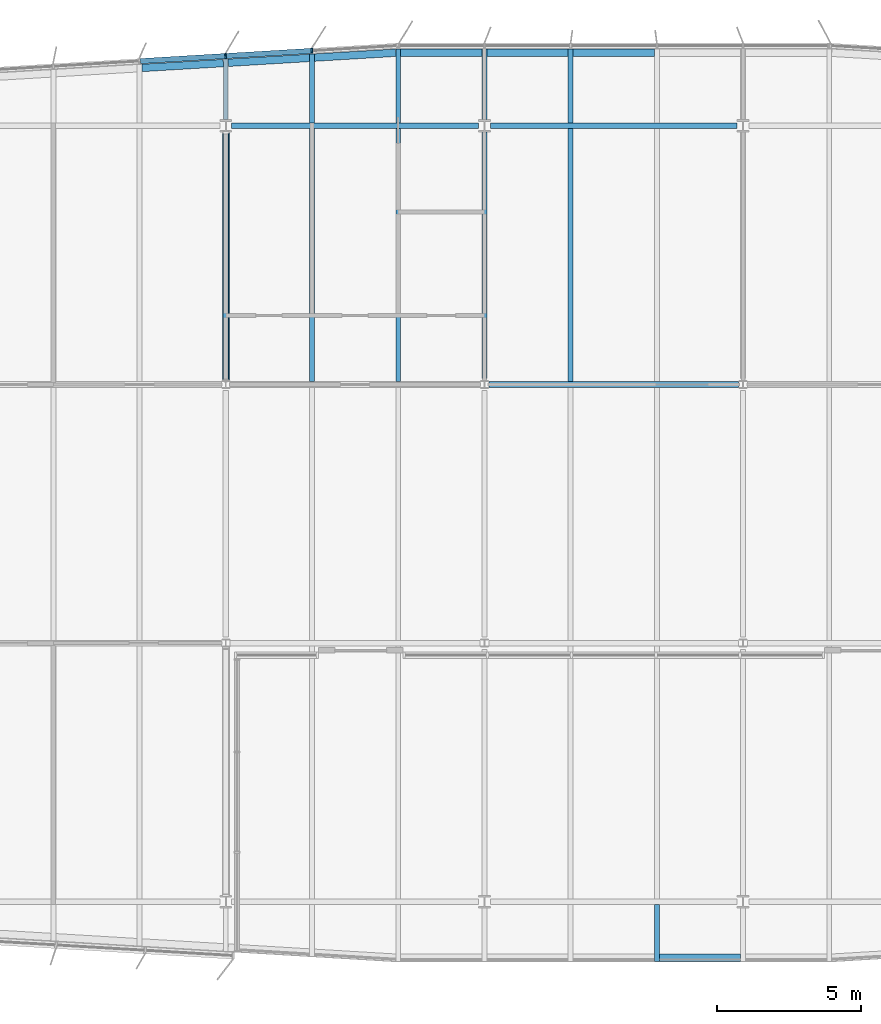
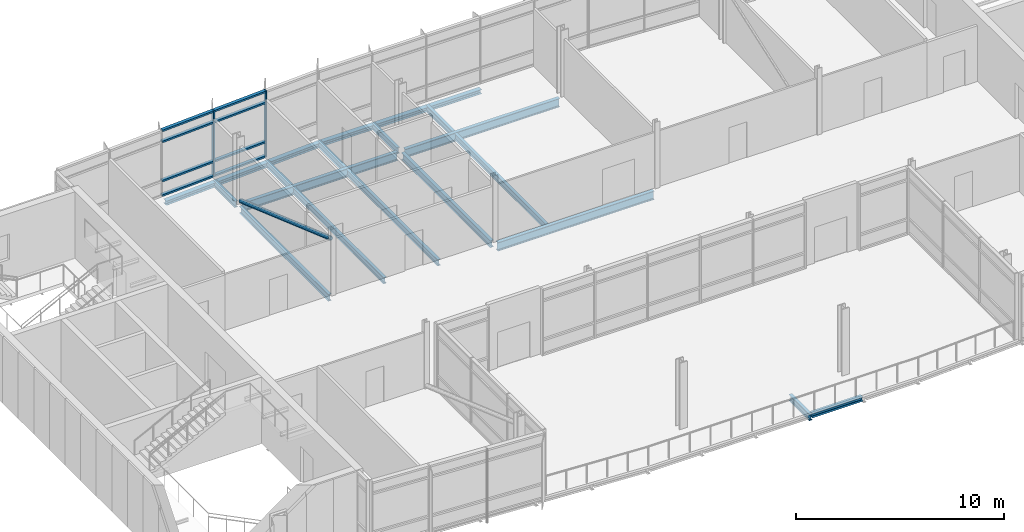
# One storey, part 5 of 19: 21 beams, 11 members, 1 element without a shape of its own.
"""IFC4 building model written with IfcOpenShell, lengths in metres."""

from ifc_helpers import new_model, si_unit, direction, frame, origin, origin_2d, place, context, subcontext, project, spatial, rectangle, hollow_circle, i_section, extrude, material, material_profile, profile_set, type_object, element, aggregate, save


model = new_model("IFC4")

# Units and contexts
model_context = context("Model", 3, precision=1e-05, world=origin(), true_north=direction((0.0, 1.0)))
body_context = subcontext(model_context, "Body", "Model", "MODEL_VIEW")
ifc_project = project(units=[si_unit("LENGTHUNIT", "METRE"), si_unit("AREAUNIT", "SQUARE_METRE"), si_unit("VOLUMEUNIT", "CUBIC_METRE"), si_unit("PLANEANGLEUNIT", "RADIAN"), si_unit("MASSUNIT", "GRAM", prefix="KILO")], contexts=[model_context])

# Site, building, storey
site_placement = place(None, origin())
site = spatial("IfcSite", under=ifc_project, at=site_placement, CompositionType="ELEMENT")
building_placement = place(site_placement, origin())
building = spatial("IfcBuilding", under=site, at=building_placement, Name="Azimuth Sports and Learning Centre", CompositionType="ELEMENT")
storey_placement = place(building_placement, frame((0.0, 0.0, 67.5)))
storey = spatial("IfcBuildingStorey", under=building, at=storey_placement, Name="L15", CompositionType="ELEMENT", Elevation=67.5)

# Beams
ifc_material_1 = material(Name="Steel S355", Category="steel")
ifc_material_profile_1 = material_profile(ifc_material_1, i_section(OverallWidth=0.179931640625, OverallDepth=0.39990234375, WebThickness=0.008544921875, FlangeThickness=0.013427734375, FilletRadius=0.02099609375, at=origin_2d()), Name="IPE 400")
ifc_profile_set_1 = profile_set([ifc_material_profile_1], Name="Steel S355")
beam_type_1 = type_object("IfcBeamType", Name="Beam IPE 400", PredefinedType="BEAM", material=ifc_profile_set_1)
for number, where, z_axis, x_axis, name in (
    (1, (72.0, 108.216064453125, -0.330078125), (0.0, 1.0, 0.0), (-1.0, 0.0, 0.0), "Tower tie"),
    (2, (81.0, 108.216064453125, -0.330078125), (0.0, 1.0, 0.0), (-1.0, 0.0, 0.0), "Tower tie"),
):
    element("IfcBeam", number, at=place(storey_placement, frame(where, z_axis=z_axis, x_axis=x_axis)), inside=storey, type_object=beam_type_1, Name=name, PredefinedType="BEAM", context=body_context, shape_type="SweptSolid", body=[
        extrude(i_section(OverallWidth=0.179931640625, OverallDepth=0.39990234375, WebThickness=0.008544921875, FlangeThickness=0.013427734375, FilletRadius=0.02099609375, at=origin_2d()), origin(), (0.0, 0.0, 1.0), 8.56640625),
    ])
ifc_material_2 = material(Name="Steel S355", Category="steel")
ifc_material_profile_2 = material_profile(ifc_material_2, i_section(OverallWidth=0.199951171875, OverallDepth=0.5, WebThickness=0.01025390625, FlangeThickness=0.01611328125, FilletRadius=0.02099609375, at=origin_2d()), Name="IPE 500")
ifc_profile_set_2 = profile_set([ifc_material_profile_2], Name="Steel S355")
beam_type_2 = type_object("IfcBeamType", Name="Beam IPE 500", PredefinedType="BEAM", material=ifc_profile_set_2)
beam_1_placement = place(storey_placement, frame((81.153564453125, 108.0, -0.3798828125), z_axis=(1.0, 0.0, 0.0), x_axis=(0.0, 1.0, 0.0)))
element("IfcBeam", 3, at=beam_1_placement, inside=storey, type_object=beam_type_2, Name="Tower girder L15", PredefinedType="BEAM", context=body_context, shape_type="SweptSolid", body=[
    extrude(i_section(OverallWidth=0.199951171875, OverallDepth=0.5, WebThickness=0.01025390625, FlangeThickness=0.01611328125, FilletRadius=0.02099609375, at=origin_2d()), origin(), (0.0, 0.0, 1.0), 8.69287109375),
])
for number, where, z_axis, x_axis, name in (
    (4, (72.2060546875, 117.0, -0.3798828125), (1.0, 0.0, 0.0), (0.0, 1.0, 0.0), "Tower girder L15"),
    (5, (81.2060546875, 117.0, -0.3798828125), (1.0, 0.0, 0.0), (0.0, 1.0, 0.0), "Tower girder L15"),
):
    element("IfcBeam", number, at=place(storey_placement, frame(where, z_axis=z_axis, x_axis=x_axis)), inside=storey, type_object=beam_type_2, Name=name, PredefinedType="BEAM", context=body_context, shape_type="SweptSolid", body=[
        extrude(i_section(OverallWidth=0.199951171875, OverallDepth=0.5, WebThickness=0.01025390625, FlangeThickness=0.01611328125, FilletRadius=0.02099609375, at=origin_2d()), origin(), (0.0, 0.0, 1.0), 8.587890625),
    ])

# Member
ifc_material_3 = material(Name="Steel S355", Category="steel")
ifc_material_profile_3 = material_profile(ifc_material_3, hollow_circle(Radius=0.122314453125, WallThickness=0.012451171875, at=origin_2d()), Name="CHS 244.5x12.5")
ifc_profile_set_3 = profile_set([ifc_material_profile_3], Name="Steel S355")
member_type_1 = type_object("IfcMemberType", Name="Brace CHS 244.5x12.5", PredefinedType="BRACE", material=ifc_profile_set_3)
member_1_placement = place(storey_placement, frame((72.0, 108.150634765625, 3.200439453125), z_axis=(0.0, 0.943274861537, -0.332012854558), x_axis=(-1.0, 0.0, 0.0)))
element("IfcMember", 6, at=member_1_placement, inside=storey, type_object=member_type_1, Name="Tower brace 9 L15", PredefinedType="BRACE", context=body_context, shape_type="SweptSolid", body=[
    extrude(hollow_circle(Radius=0.122314453125, WallThickness=0.012451171875, at=origin_2d()), origin(), (0.0, 0.0, 1.0), 9.129150390625),
])

# Beams
ifc_material_4 = material(Name="Steel S355", Category="steel")
ifc_material_profile_4 = material_profile(ifc_material_4, i_section(OverallWidth=0.169921875, OverallDepth=0.360107421875, WebThickness=0.008056640625, FlangeThickness=0.0126953125, FilletRadius=0.01806640625, at=origin_2d()), Name="IPE 360")
ifc_profile_set_4 = profile_set([ifc_material_profile_4], Name="Steel S355")
beam_type_3 = type_object("IfcBeamType", Name="Cantilever stub IPE 360", PredefinedType="JOIST", material=ifc_profile_set_4)
beam_2_placement = place(storey_placement, frame((87.0, 89.89990234375, -0.31005859375), z_axis=(0.0, -1.0, 0.0), x_axis=(1.0, 0.0, 0.0)))
element("IfcBeam", 7, at=beam_2_placement, inside=storey, type_object=beam_type_3, Name="Tower cantilever stub", PredefinedType="JOIST", context=body_context, shape_type="SweptSolid", body=[
    extrude(i_section(OverallWidth=0.169921875, OverallDepth=0.360107421875, WebThickness=0.008056640625, FlangeThickness=0.0126953125, FilletRadius=0.01806640625, at=origin_2d()), origin(), (0.0, 0.0, 1.0), 1.97998046875),
])
beam_3_placement = place(storey_placement, frame((72.0, 117.217529296875, -0.31005859375), z_axis=(0.0, 1.0, 0.0), x_axis=(-1.0, 0.0, 0.0)))
element("IfcBeam", 8, at=beam_3_placement, inside=storey, type_object=beam_type_3, Name="Tower cantilever stub", PredefinedType="JOIST", context=body_context, shape_type="SweptSolid", body=[
    extrude(i_section(OverallWidth=0.169921875, OverallDepth=0.360107421875, WebThickness=0.008056640625, FlangeThickness=0.0126953125, FilletRadius=0.01806640625, at=origin_2d()), origin(), (0.0, 0.0, 1.0), 2.1025390625),
])
beam_4_placement = place(storey_placement, frame((75.0, 117.10009765625, -0.31005859375), z_axis=(0.0, 1.0, 0.0), x_axis=(-1.0, 0.0, 0.0)))
element("IfcBeam", 9, at=beam_4_placement, inside=storey, type_object=beam_type_3, Name="Tower cantilever stub", PredefinedType="JOIST", context=body_context, shape_type="SweptSolid", body=[
    extrude(i_section(OverallWidth=0.169921875, OverallDepth=0.360107421875, WebThickness=0.008056640625, FlangeThickness=0.0126953125, FilletRadius=0.01806640625, at=origin_2d()), origin(), (0.0, 0.0, 1.0), 2.39990234375),
])
beam_5_placement = place(storey_placement, frame((78.0, 117.10009765625, -0.31005859375), z_axis=(0.0, 1.0, 0.0), x_axis=(-1.0, 0.0, 0.0)))
element("IfcBeam", 10, at=beam_5_placement, inside=storey, type_object=beam_type_3, Name="Tower cantilever stub", PredefinedType="JOIST", context=body_context, shape_type="SweptSolid", body=[
    extrude(i_section(OverallWidth=0.169921875, OverallDepth=0.360107421875, WebThickness=0.008056640625, FlangeThickness=0.0126953125, FilletRadius=0.01806640625, at=origin_2d()), origin(), (0.0, 0.0, 1.0), 2.579833984375),
])
beam_6_placement = place(storey_placement, frame((81.0, 117.217529296875, -0.31005859375), z_axis=(0.0, 1.0, 0.0), x_axis=(-1.0, 0.0, 0.0)))
element("IfcBeam", 11, at=beam_6_placement, inside=storey, type_object=beam_type_3, Name="Tower cantilever stub", PredefinedType="JOIST", context=body_context, shape_type="SweptSolid", body=[
    extrude(i_section(OverallWidth=0.169921875, OverallDepth=0.360107421875, WebThickness=0.008056640625, FlangeThickness=0.0126953125, FilletRadius=0.01806640625, at=origin_2d()), origin(), (0.0, 0.0, 1.0), 2.46240234375),
])
beam_7_placement = place(storey_placement, frame((84.0, 117.10009765625, -0.31005859375), z_axis=(0.0, 1.0, 0.0), x_axis=(-1.0, 0.0, 0.0)))
element("IfcBeam", 12, at=beam_7_placement, inside=storey, type_object=beam_type_3, Name="Tower cantilever stub", PredefinedType="JOIST", context=body_context, shape_type="SweptSolid", body=[
    extrude(i_section(OverallWidth=0.169921875, OverallDepth=0.360107421875, WebThickness=0.008056640625, FlangeThickness=0.0126953125, FilletRadius=0.01806640625, at=origin_2d()), origin(), (0.0, 0.0, 1.0), 2.579833984375),
])
ifc_material_5 = material(Name="Steel S355", Category="steel")
ifc_material_profile_5 = material_profile(ifc_material_5, i_section(OverallWidth=0.260009765625, OverallDepth=0.25, WebThickness=0.007568359375, FlangeThickness=0.012451171875, FilletRadius=0.02392578125, at=origin_2d()), Name="HEA 260")
ifc_profile_set_5 = profile_set([ifc_material_profile_5], Name="Steel S355")
beam_type_4 = type_object("IfcBeamType", Name="Edge beam HEA 260", PredefinedType="SPANDREL", material=ifc_profile_set_5)
beam_8_placement = place(storey_placement, frame((87.0849609375, 88.050048828125, -0.2548828125), z_axis=(1.0, 0.0, 0.0), x_axis=(0.0, 1.0, 0.0)))
element("IfcBeam", 13, at=beam_8_placement, inside=storey, type_object=beam_type_4, Name="Tower edge beam", PredefinedType="SPANDREL", context=body_context, shape_type="SweptSolid", body=[
    extrude(i_section(OverallWidth=0.260009765625, OverallDepth=0.25, WebThickness=0.007568359375, FlangeThickness=0.012451171875, FilletRadius=0.02392578125, at=origin_2d()), origin(), (0.0, 0.0, 1.0), 2.830078125),
])
for number, where, z_axis, x_axis, name in (
    (14, (69.0849609375, 119.01513671875, -0.2548828125), (0.998207521518, 0.059847673176, 0.0), (-0.059847673176, 0.998207521518, 0.0), "Tower edge beam"),
    (15, (72.0849609375, 119.195068359375, -0.2548828125), (0.998202373506, 0.059933475842, 0.0), (-0.059933475842, 0.998202373506, 0.0), "Tower edge beam"),
    (16, (75.0849609375, 119.375, -0.2548828125), (0.998202373506, 0.059933475842, 0.0), (-0.059933475842, 0.998202373506, 0.0), "Tower edge beam"),
):
    element("IfcBeam", number, at=place(storey_placement, frame(where, z_axis=z_axis, x_axis=x_axis)), inside=storey, type_object=beam_type_4, Name=name, PredefinedType="SPANDREL", context=body_context, shape_type="SweptSolid", body=[
        extrude(i_section(OverallWidth=0.260009765625, OverallDepth=0.25, WebThickness=0.007568359375, FlangeThickness=0.012451171875, FilletRadius=0.02392578125, at=origin_2d()), origin(), (0.0, 0.0, 1.0), 2.835205078125),
    ])
for number, where, z_axis, x_axis, name in (
    (17, (78.0849609375, 119.550048828125, -0.2548828125), (1.0, 0.0, 0.0), (0.0, 1.0, 0.0), "Tower edge beam"),
    (18, (81.0849609375, 119.550048828125, -0.2548828125), (1.0, 0.0, 0.0), (0.0, 1.0, 0.0), "Tower edge beam"),
    (19, (84.0849609375, 119.550048828125, -0.2548828125), (1.0, 0.0, 0.0), (0.0, 1.0, 0.0), "Tower edge beam"),
):
    element("IfcBeam", number, at=place(storey_placement, frame(where, z_axis=z_axis, x_axis=x_axis)), inside=storey, type_object=beam_type_4, Name=name, PredefinedType="SPANDREL", context=body_context, shape_type="SweptSolid", body=[
        extrude(i_section(OverallWidth=0.260009765625, OverallDepth=0.25, WebThickness=0.007568359375, FlangeThickness=0.012451171875, FilletRadius=0.02392578125, at=origin_2d()), origin(), (0.0, 0.0, 1.0), 2.830078125),
    ])
ifc_material_6 = material(Name="Steel S355", Category="steel")
ifc_material_profile_6 = material_profile(ifc_material_6, i_section(OverallWidth=0.169921875, OverallDepth=0.360107421875, WebThickness=0.008056640625, FlangeThickness=0.0126953125, FilletRadius=0.01806640625, at=origin_2d()), Name="IPE 360")
ifc_profile_set_6 = profile_set([ifc_material_profile_6], Name="Steel S355")
beam_type_5 = type_object("IfcBeamType", Name="Joist IPE 360", PredefinedType="JOIST", material=ifc_profile_set_6)
for number, where, z_axis, x_axis, name in (
    (20, (75.0, 108.10009765625, -0.31005859375), (0.0, 1.0, 0.0), (-1.0, 0.0, 0.0), "Tower joist"),
    (21, (78.0, 108.10009765625, -0.31005859375), (0.0, 1.0, 0.0), (-1.0, 0.0, 0.0), "Tower joist"),
    (22, (84.0, 108.10009765625, -0.31005859375), (0.0, 1.0, 0.0), (-1.0, 0.0, 0.0), "Tower joist"),
):
    element("IfcBeam", number, at=place(storey_placement, frame(where, z_axis=z_axis, x_axis=x_axis)), inside=storey, type_object=beam_type_5, Name=name, PredefinedType="JOIST", context=body_context, shape_type="SweptSolid", body=[
        extrude(i_section(OverallWidth=0.169921875, OverallDepth=0.360107421875, WebThickness=0.008056640625, FlangeThickness=0.0126953125, FilletRadius=0.01806640625, at=origin_2d()), origin(), (0.0, 0.0, 1.0), 8.7998046875),
    ])

# Curtain wall, members
ifc_material_7 = material(Name="Aluminium and glass", Category="aluminium")
curtain_wall_type = type_object("IfcCurtainWallType", Name="Curtain wall tower north 180", PredefinedType="NOTDEFINED", material=ifc_material_7)
curtain_wall_placement = place(storey_placement, origin())
curtain_wall = element("IfcCurtainWall", 23, at=curtain_wall_placement, inside=storey, type_object=curtain_wall_type, Name="Curtain wall CW15-013", PredefinedType="NOTDEFINED")
ifc_material_8 = material(Name="Aluminium", Category="aluminium")
ifc_material_profile_7 = material_profile(ifc_material_8, rectangle(XDim=0.179931640625, YDim=0.06005859375, at=origin_2d()), Name="Mullion 60x180")
ifc_profile_set_7 = profile_set([ifc_material_profile_7], Name="Aluminium")
member_type_2 = type_object("IfcMemberType", Name="Mullion 60x180", PredefinedType="MULLION", material=ifc_profile_set_7)
member_2_placement = place(storey_placement, frame((74.99462890625, 119.60986328125, 0.0), z_axis=(0.0, 0.0, 1.0), x_axis=(0.059891991812, -0.998204863401, 0.0)))
member_2 = element("IfcMember", 24, at=member_2_placement, type_object=member_type_2, Name="CW15-013 mullion 2", PredefinedType="MULLION", context=body_context, shape_type="SweptSolid", body=[
    extrude(rectangle(XDim=0.179931640625, YDim=0.06005859375, at=origin_2d()), origin(), (0.0, 0.0, 1.0), 3.89990234375),
])
member_3_placement = place(storey_placement, frame((71.99462890625, 119.429931640625, 0.0), z_axis=(0.0, 0.0, 1.0), x_axis=(0.059891991812, -0.998204863401, 0.0)))
member_3 = element("IfcMember", 25, at=member_3_placement, type_object=member_type_2, Name="CW15-013 mullion 3", PredefinedType="MULLION", context=body_context, shape_type="SweptSolid", body=[
    extrude(rectangle(XDim=0.179931640625, YDim=0.06005859375, at=origin_2d()), origin(), (0.0, 0.0, 1.0), 3.89990234375),
])
ifc_material_9 = material(Name="Aluminium", Category="aluminium")
ifc_material_profile_8 = material_profile(ifc_material_9, rectangle(XDim=0.179931640625, YDim=0.10009765625, at=origin_2d()), Name="Transom 100x180")
ifc_profile_set_8 = profile_set([ifc_material_profile_8], Name="Aluminium")
member_type_3 = type_object("IfcMemberType", Name="Transom 100x180", PredefinedType="USERDEFINED", material=ifc_profile_set_8)
member_4_placement = place(storey_placement, frame((74.964599609375, 119.608154296875, 0.050048828125), z_axis=(-0.998202465912, -0.059931936792, 0.0), x_axis=(0.059931936792, -0.998202465912, 0.0)))
member_4 = element("IfcMember", 26, at=member_4_placement, type_object=member_type_3, Name="CW15-013 transom 2.1", ObjectType="TRANSOM", PredefinedType="USERDEFINED", context=body_context, shape_type="SweptSolid", body=[
    extrude(rectangle(XDim=0.179931640625, YDim=0.10009765625, at=origin_2d()), origin(), (0.0, 0.0, 1.0), 2.9453125),
])
member_5_placement = place(storey_placement, frame((74.964599609375, 119.608154296875, 0.89990234375), z_axis=(-0.998202465912, -0.059931936792, 0.0), x_axis=(0.059931936792, -0.998202465912, 0.0)))
member_5 = element("IfcMember", 27, at=member_5_placement, type_object=member_type_3, Name="CW15-013 transom 2.2", ObjectType="TRANSOM", PredefinedType="USERDEFINED", context=body_context, shape_type="SweptSolid", body=[
    extrude(rectangle(XDim=0.179931640625, YDim=0.10009765625, at=origin_2d()), origin(), (0.0, 0.0, 1.0), 2.9453125),
])
member_6_placement = place(storey_placement, frame((74.964599609375, 119.608154296875, 3.199951171875), z_axis=(-0.998202465912, -0.059931936792, 0.0), x_axis=(0.059931936792, -0.998202465912, 0.0)))
member_6 = element("IfcMember", 28, at=member_6_placement, type_object=member_type_3, Name="CW15-013 transom 2.3", ObjectType="TRANSOM", PredefinedType="USERDEFINED", context=body_context, shape_type="SweptSolid", body=[
    extrude(rectangle(XDim=0.179931640625, YDim=0.10009765625, at=origin_2d()), origin(), (0.0, 0.0, 1.0), 2.9453125),
])
member_7_placement = place(storey_placement, frame((74.964599609375, 119.608154296875, 3.85009765625), z_axis=(-0.998202465912, -0.059931936792, 0.0), x_axis=(0.059931936792, -0.998202465912, 0.0)))
member_7 = element("IfcMember", 29, at=member_7_placement, type_object=member_type_3, Name="CW15-013 transom 2.4", ObjectType="TRANSOM", PredefinedType="USERDEFINED", context=body_context, shape_type="SweptSolid", body=[
    extrude(rectangle(XDim=0.179931640625, YDim=0.10009765625, at=origin_2d()), origin(), (0.0, 0.0, 1.0), 2.9453125),
])
member_8_placement = place(storey_placement, frame((71.964599609375, 119.427978515625, 0.050048828125), z_axis=(-0.998207421552, -0.059849340505, 0.0), x_axis=(0.059849340505, -0.998207421552, 0.0)))
member_8 = element("IfcMember", 30, at=member_8_placement, type_object=member_type_3, Name="CW15-013 transom 3.1", ObjectType="TRANSOM", PredefinedType="USERDEFINED", context=body_context, shape_type="SweptSolid", body=[
    extrude(rectangle(XDim=0.179931640625, YDim=0.10009765625, at=origin_2d()), origin(), (0.0, 0.0, 1.0), 2.9453125),
])
member_9_placement = place(storey_placement, frame((71.964599609375, 119.427978515625, 0.89990234375), z_axis=(-0.998207421552, -0.059849340505, 0.0), x_axis=(0.059849340505, -0.998207421552, 0.0)))
member_9 = element("IfcMember", 31, at=member_9_placement, type_object=member_type_3, Name="CW15-013 transom 3.2", ObjectType="TRANSOM", PredefinedType="USERDEFINED", context=body_context, shape_type="SweptSolid", body=[
    extrude(rectangle(XDim=0.179931640625, YDim=0.10009765625, at=origin_2d()), origin(), (0.0, 0.0, 1.0), 2.9453125),
])
member_10_placement = place(storey_placement, frame((71.964599609375, 119.427978515625, 3.199951171875), z_axis=(-0.998207421552, -0.059849340505, 0.0), x_axis=(0.059849340505, -0.998207421552, 0.0)))
member_10 = element("IfcMember", 32, at=member_10_placement, type_object=member_type_3, Name="CW15-013 transom 3.3", ObjectType="TRANSOM", PredefinedType="USERDEFINED", context=body_context, shape_type="SweptSolid", body=[
    extrude(rectangle(XDim=0.179931640625, YDim=0.10009765625, at=origin_2d()), origin(), (0.0, 0.0, 1.0), 2.9453125),
])
member_11_placement = place(storey_placement, frame((71.964599609375, 119.427978515625, 3.85009765625), z_axis=(-0.998207421552, -0.059849340505, 0.0), x_axis=(0.059849340505, -0.998207421552, 0.0)))
member_11 = element("IfcMember", 33, at=member_11_placement, type_object=member_type_3, Name="CW15-013 transom 3.4", ObjectType="TRANSOM", PredefinedType="USERDEFINED", context=body_context, shape_type="SweptSolid", body=[
    extrude(rectangle(XDim=0.179931640625, YDim=0.10009765625, at=origin_2d()), origin(), (0.0, 0.0, 1.0), 2.9453125),
])
aggregate(curtain_wall, [member_2, member_3, member_4, member_5, member_6, member_7, member_8, member_9, member_10, member_11])

save(model, "model.ifc")
